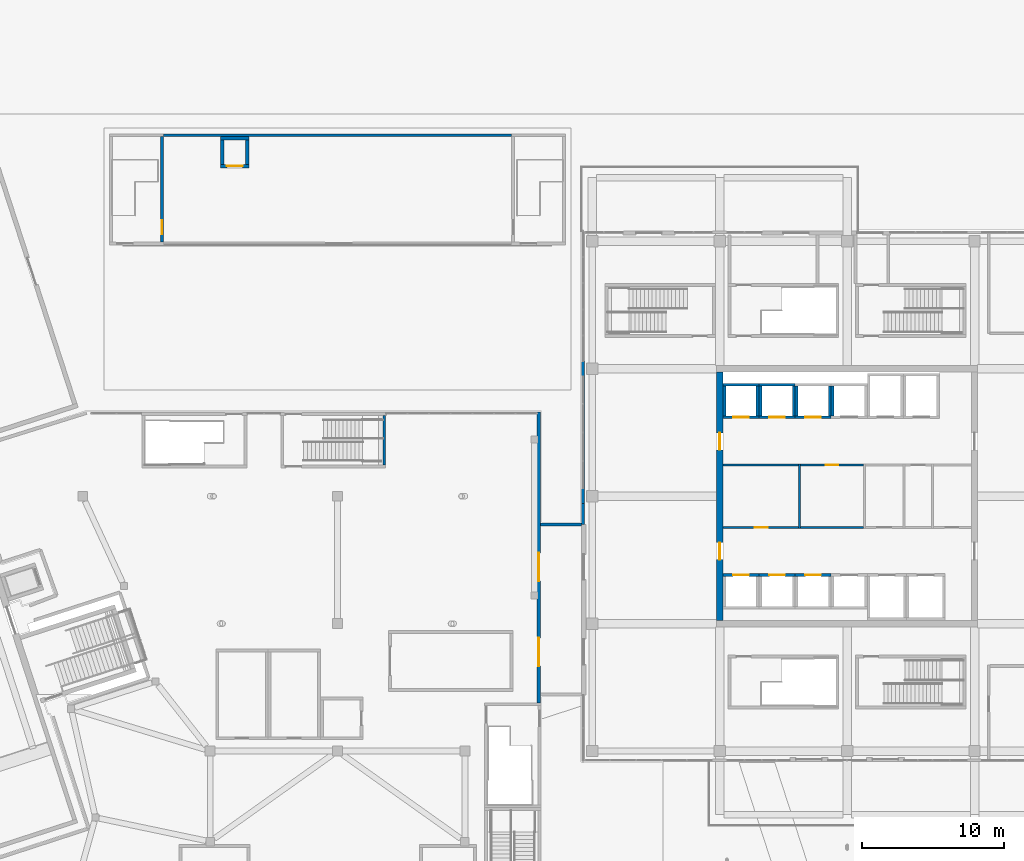
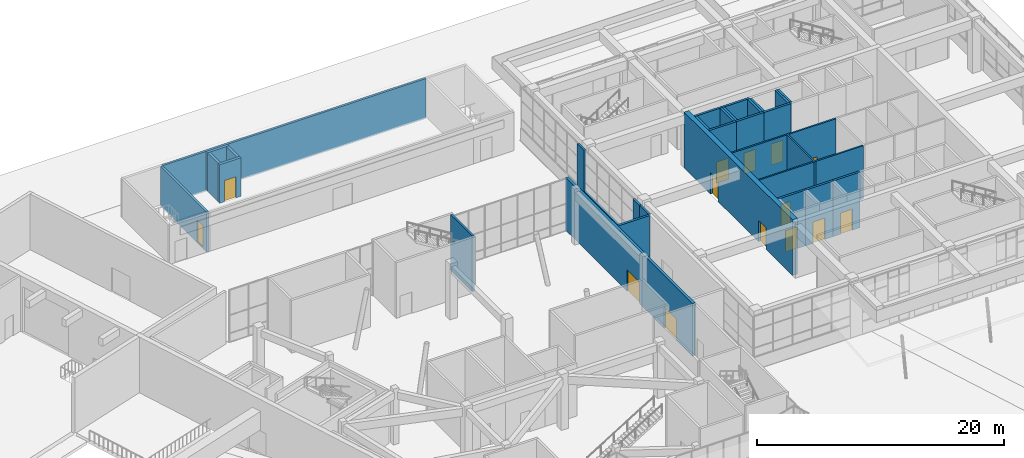
# One storey, part 56 of 72: 34 walls, 14 doors, 14 openings.
"""IFC4 building model written with IfcOpenShell, lengths in metres."""

from ifc_helpers import new_model, si_unit, direction, frame, frame_2d, origin, place, context, subcontext, project, spatial, rectangle, extrude, material, layer, layer_set, type_object, element, fill, save


model = new_model("IFC4")

# Units and contexts
model_context = context("Model", 3, precision=1e-05, world=origin(), true_north=direction((0.0, 1.0)))
body_context = subcontext(model_context, "Body", "Model", "MODEL_VIEW")
ifc_project = project(units=[si_unit("LENGTHUNIT", "METRE"), si_unit("AREAUNIT", "SQUARE_METRE"), si_unit("VOLUMEUNIT", "CUBIC_METRE"), si_unit("PLANEANGLEUNIT", "RADIAN"), si_unit("MASSUNIT", "GRAM", prefix="KILO")], contexts=[model_context])

# Site, building, storey
site_placement = place(None, origin())
site = spatial("IfcSite", under=ifc_project, at=site_placement, CompositionType="ELEMENT")
building_placement = place(site_placement, origin())
building = spatial("IfcBuilding", under=site, at=building_placement, Name="Tuart Plaza Theatre", CompositionType="ELEMENT")
storey_placement = place(building_placement, origin())
storey = spatial("IfcBuildingStorey", under=building, at=storey_placement, Name="L00", CompositionType="ELEMENT", Elevation=0.0)

# Wall
ifc_material_1 = material(Name="Masonry block", Category="masonry")
ifc_layer_1 = layer(ifc_material_1, 0.14990234375)
ifc_layer_set_1 = layer_set([ifc_layer_1], Name="PARTITION BLK150 MASONRYB FRL -/120/120")
wall_type_1 = type_object("IfcWallType", Name="PARTITION BLK150 MASONRYB FRL -/120/120", PredefinedType="PARTITIONING", material=ifc_layer_set_1)
wall_1_placement = place(storey_placement, frame((128.625, 71.72509765625, 0.0), z_axis=(0.0, 0.0, 1.0), x_axis=(0.0, 1.0, 0.0)))
element("IfcWall", 1, at=wall_1_placement, inside=storey, type_object=wall_type_1, Name="P562", PredefinedType="PARTITIONING", context=body_context, shape_type="SweptSolid", body=[
    extrude(rectangle(XDim=4.5498046875, YDim=0.14990234375, at=frame_2d((2.27490234375, 0.0))), origin(), (0.0, 0.0, 1.0), 5.25),
])

# Wall, opening, door
wall_2_placement = place(storey_placement, frame((123.22509765625, 71.800048828125, 0.0), z_axis=(0.0, 0.0, 1.0), x_axis=(1.0, 0.0, 0.0)))
wall_2 = element("IfcWall", 2, at=wall_2_placement, inside=storey, type_object=wall_type_1, Name="P563", PredefinedType="PARTITIONING", context=body_context, shape_type="SweptSolid", body=[
    extrude(rectangle(XDim=5.324951171875, YDim=0.14990234375, at=frame_2d((2.66259765625, 0.0))), origin(), (0.0, 0.0, 1.0), 5.25),
])
opening_1_placement = place(wall_2_placement, frame((2.25, 0.0, 0.0)))
opening_1 = element("IfcOpeningElement", 3, at=opening_1_placement, cuts=wall_2, Name="Opening L00-087", PredefinedType="OPENING", context=body_context, shape_type="SweptSolid", body=[
    extrude(rectangle(XDim=0.89990234375, YDim=2.10009765625, at=frame_2d((0.449951171875, 1.050048828125))), frame((0.0, 0.0849609375, 0.0), z_axis=(0.0, -1.0, 0.0), x_axis=(1.0, 0.0, 0.0)), (0.0, 0.0, 1.0), 0.169921875),
])
ifc_material_2 = material(Name="Steel Grade 300", Category="steel")
door_type_1 = type_object("IfcDoorType", Name="DOOR 900x2100 steel single swing FRL -/120/30", OperationType="SINGLE_SWING_LEFT", PredefinedType="DOOR", material=ifc_material_2)
door_1_placement = place(opening_1_placement, origin())
door_1 = element("IfcDoor", 4, at=door_1_placement, inside=storey, type_object=door_type_1, Name="L00-087", OperationType="SINGLE_SWING_LEFT", OverallHeight=2.10009765625, OverallWidth=0.89990234375, PredefinedType="DOOR", context=body_context, shape_type="SweptSolid", body=[
    extrude(rectangle(XDim=0.89990234375, YDim=2.10009765625, at=frame_2d((0.449951171875, 1.050048828125))), frame((0.0, 0.02490234375, 0.0), z_axis=(0.0, -1.0, 0.0), x_axis=(1.0, 0.0, 0.0)), (0.0, 0.0, 1.0), 0.050048828125),
])
fill(opening_1, door_1)

# Walls
wall_3_placement = place(storey_placement, frame((123.22509765625, 76.199951171875, 0.0), z_axis=(0.0, 0.0, 1.0), x_axis=(1.0, 0.0, 0.0)))
element("IfcWall", 5, at=wall_3_placement, inside=storey, type_object=wall_type_1, Name="P564", PredefinedType="PARTITIONING", context=body_context, shape_type="SweptSolid", body=[
    extrude(rectangle(XDim=5.324951171875, YDim=0.14990234375, at=frame_2d((2.66259765625, 0.0))), origin(), (0.0, 0.0, 1.0), 5.25),
])
wall_4_placement = place(storey_placement, frame((128.699951171875, 71.800048828125, 0.0), z_axis=(0.0, 0.0, 1.0), x_axis=(1.0, 0.0, 0.0)))
element("IfcWall", 6, at=wall_4_placement, inside=storey, type_object=wall_type_1, Name="P566", PredefinedType="PARTITIONING", context=body_context, shape_type="SweptSolid", body=[
    extrude(rectangle(XDim=4.449951171875, YDim=0.14990234375, at=frame_2d((2.22509765625, 0.0))), origin(), (0.0, 0.0, 1.0), 5.25),
])

# Wall, opening, door
wall_5_placement = place(storey_placement, frame((128.699951171875, 76.199951171875, 0.0), z_axis=(0.0, 0.0, 1.0), x_axis=(1.0, 0.0, 0.0)))
wall_5 = element("IfcWall", 7, at=wall_5_placement, inside=storey, type_object=wall_type_1, Name="P567", PredefinedType="PARTITIONING", context=body_context, shape_type="SweptSolid", body=[
    extrude(rectangle(XDim=4.449951171875, YDim=0.14990234375, at=frame_2d((2.22509765625, 0.0))), origin(), (0.0, 0.0, 1.0), 5.25),
])
opening_2_placement = place(wall_5_placement, frame((1.77490234375, 0.0, 0.0)))
opening_2 = element("IfcOpeningElement", 8, at=opening_2_placement, cuts=wall_5, Name="Opening L00-088", PredefinedType="OPENING", context=body_context, shape_type="SweptSolid", body=[
    extrude(rectangle(XDim=0.89990234375, YDim=2.10009765625, at=frame_2d((0.449951171875, 1.050048828125))), frame((0.0, 0.0849609375, 0.0), z_axis=(0.0, -1.0, 0.0), x_axis=(1.0, 0.0, 0.0)), (0.0, 0.0, 1.0), 0.169921875),
])
door_2_placement = place(opening_2_placement, frame((0.89990234375, 0.0, 0.0), z_axis=(0.0, 0.0, 1.0), x_axis=(-1.0, 0.0, 0.0)))
door_2 = element("IfcDoor", 9, at=door_2_placement, inside=storey, type_object=door_type_1, Name="L00-088", OperationType="SINGLE_SWING_LEFT", OverallHeight=2.10009765625, OverallWidth=0.89990234375, PredefinedType="DOOR", context=body_context, shape_type="SweptSolid", body=[
    extrude(rectangle(XDim=0.89990234375, YDim=2.10009765625, at=frame_2d((0.449951171875, 1.050048828125))), frame((0.0, 0.02490234375, 0.0), z_axis=(0.0, -1.0, 0.0), x_axis=(1.0, 0.0, 0.0)), (0.0, 0.0, 1.0), 0.050048828125),
])
fill(opening_2, door_2)

# Wall
ifc_material_3 = material(Name="Concrete N40 (40 MPa)", Category="concrete")
ifc_layer_2 = layer(ifc_material_3, 0.199951171875)
ifc_layer_set_2 = layer_set([ifc_layer_2], Name="SHEAR WALL RC200 FRL 120/120/120")
wall_type_2 = type_object("IfcWallType", Name="SHEAR WALL RC200 FRL 120/120/120", PredefinedType="SHEAR", material=ifc_layer_set_2)
wall_6_placement = place(storey_placement, frame((99.300048828125, 76.199951171875, 0.0), z_axis=(0.0, 0.0, 1.0), x_axis=(0.0, 1.0, 0.0)))
element("IfcWall", 10, at=wall_6_placement, inside=storey, type_object=wall_type_2, Name="W257", PredefinedType="SHEAR", context=body_context, shape_type="SweptSolid", body=[
    extrude(rectangle(XDim=3.5, YDim=0.199951171875, at=frame_2d((1.75, 0.0))), origin(), (0.0, 0.0, 1.0), 5.5),
])

# Wall, opening, door
wall_7_placement = place(storey_placement, frame((125.77490234375, 68.425048828125, 0.0), z_axis=(0.0, 0.0, 1.0), x_axis=(-1.0, 0.0, 0.0)))
wall_7 = element("IfcWall", 11, at=wall_7_placement, inside=storey, type_object=wall_type_2, Name="W552", PredefinedType="SHEAR", context=body_context, shape_type="SweptSolid", body=[
    extrude(rectangle(XDim=2.5498046875, YDim=0.199951171875, at=frame_2d((1.27490234375, 0.0))), origin(), (0.0, 0.0, 1.0), 5.5),
])
opening_3_placement = place(wall_7_placement, frame((0.72509765625, 0.0, 0.0)))
opening_3 = element("IfcOpeningElement", 12, at=opening_3_placement, cuts=wall_7, Name="Opening L00-066", PredefinedType="OPENING", context=body_context, shape_type="SweptSolid", body=[
    extrude(rectangle(XDim=1.10009765625, YDim=2.10009765625, at=frame_2d((0.550048828125, 1.050048828125))), frame((0.0, 0.10986328125, 0.0), z_axis=(0.0, -1.0, 0.0), x_axis=(1.0, 0.0, 0.0)), (0.0, 0.0, 1.0), 0.219970703125),
])
ifc_material_4 = material(Name="Steel Grade 300", Category="steel")
door_type_2 = type_object("IfcDoorType", Name="LANDING DOOR 1100x2100 steel sliding FRL -/120/30", OperationType="SLIDING_TO_LEFT", PredefinedType="DOOR", material=ifc_material_4)
door_3_placement = place(opening_3_placement, origin())
door_3 = element("IfcDoor", 13, at=door_3_placement, inside=storey, type_object=door_type_2, Name="L00-066", OperationType="SLIDING_TO_LEFT", OverallHeight=2.10009765625, OverallWidth=1.10009765625, PredefinedType="DOOR", context=body_context, shape_type="SweptSolid", body=[
    extrude(rectangle(XDim=1.10009765625, YDim=2.10009765625, at=frame_2d((0.550048828125, 1.050048828125))), frame((0.0, 0.02490234375, 0.0), z_axis=(0.0, -1.0, 0.0), x_axis=(1.0, 0.0, 0.0)), (0.0, 0.0, 1.0), 0.050048828125),
])
fill(opening_3, door_3)

wall_8_placement = place(storey_placement, frame((128.324951171875, 68.425048828125, 0.0), z_axis=(0.0, 0.0, 1.0), x_axis=(-1.0, 0.0, 0.0)))
wall_8 = element("IfcWall", 14, at=wall_8_placement, inside=storey, type_object=wall_type_2, Name="W596", PredefinedType="SHEAR", context=body_context, shape_type="SweptSolid", body=[
    extrude(rectangle(XDim=2.550048828125, YDim=0.199951171875, at=frame_2d((1.27490234375, 0.0))), origin(), (0.0, 0.0, 1.0), 5.5),
])
opening_4_placement = place(wall_8_placement, frame((0.72509765625, 0.0, 0.0)))
opening_4 = element("IfcOpeningElement", 15, at=opening_4_placement, cuts=wall_8, Name="Opening L00-067", PredefinedType="OPENING", context=body_context, shape_type="SweptSolid", body=[
    extrude(rectangle(XDim=1.10009765625, YDim=2.10009765625, at=frame_2d((0.550048828125, 1.050048828125))), frame((0.0, 0.10986328125, 0.0), z_axis=(0.0, -1.0, 0.0), x_axis=(1.0, 0.0, 0.0)), (0.0, 0.0, 1.0), 0.219970703125),
])
door_4_placement = place(opening_4_placement, origin())
door_4 = element("IfcDoor", 16, at=door_4_placement, inside=storey, type_object=door_type_2, Name="L00-067", OperationType="SLIDING_TO_LEFT", OverallHeight=2.10009765625, OverallWidth=1.10009765625, PredefinedType="DOOR", context=body_context, shape_type="SweptSolid", body=[
    extrude(rectangle(XDim=1.10009765625, YDim=2.10009765625, at=frame_2d((0.550048828125, 1.050048828125))), frame((0.0, 0.02490234375, 0.0), z_axis=(0.0, -1.0, 0.0), x_axis=(1.0, 0.0, 0.0)), (0.0, 0.0, 1.0), 0.050048828125),
])
fill(opening_4, door_4)

wall_9_placement = place(storey_placement, frame((130.875, 68.425048828125, 0.0), z_axis=(0.0, 0.0, 1.0), x_axis=(-1.0, 0.0, 0.0)))
wall_9 = element("IfcWall", 17, at=wall_9_placement, inside=storey, type_object=wall_type_2, Name="W640", PredefinedType="SHEAR", context=body_context, shape_type="SweptSolid", body=[
    extrude(rectangle(XDim=2.550048828125, YDim=0.199951171875, at=frame_2d((1.27490234375, 0.0))), origin(), (0.0, 0.0, 1.0), 5.5),
])
opening_5_placement = place(wall_9_placement, frame((0.72509765625, 0.0, 0.0)))
opening_5 = element("IfcOpeningElement", 18, at=opening_5_placement, cuts=wall_9, Name="Opening L00-068", PredefinedType="OPENING", context=body_context, shape_type="SweptSolid", body=[
    extrude(rectangle(XDim=1.10009765625, YDim=2.10009765625, at=frame_2d((0.550048828125, 1.050048828125))), frame((0.0, 0.10986328125, 0.0), z_axis=(0.0, -1.0, 0.0), x_axis=(1.0, 0.0, 0.0)), (0.0, 0.0, 1.0), 0.219970703125),
])
door_5_placement = place(opening_5_placement, origin())
door_5 = element("IfcDoor", 19, at=door_5_placement, inside=storey, type_object=door_type_2, Name="L00-068", OperationType="SLIDING_TO_LEFT", OverallHeight=2.10009765625, OverallWidth=1.10009765625, PredefinedType="DOOR", context=body_context, shape_type="SweptSolid", body=[
    extrude(rectangle(XDim=1.10009765625, YDim=2.10009765625, at=frame_2d((0.550048828125, 1.050048828125))), frame((0.0, 0.02490234375, 0.0), z_axis=(0.0, -1.0, 0.0), x_axis=(1.0, 0.0, 0.0)), (0.0, 0.0, 1.0), 0.050048828125),
])
fill(opening_5, door_5)

wall_10_placement = place(storey_placement, frame((123.22509765625, 79.574951171875, 0.0), z_axis=(0.0, 0.0, 1.0), x_axis=(1.0, 0.0, 0.0)))
wall_10 = element("IfcWall", 20, at=wall_10_placement, inside=storey, type_object=wall_type_2, Name="W726", PredefinedType="SHEAR", context=body_context, shape_type="SweptSolid", body=[
    extrude(rectangle(XDim=2.5498046875, YDim=0.199951171875, at=frame_2d((1.27490234375, 0.0))), origin(), (0.0, 0.0, 1.0), 5.5),
])
opening_6_placement = place(wall_10_placement, frame((0.72509765625, 0.0, 0.0)))
opening_6 = element("IfcOpeningElement", 21, at=opening_6_placement, cuts=wall_10, Name="Opening L00-070", PredefinedType="OPENING", context=body_context, shape_type="SweptSolid", body=[
    extrude(rectangle(XDim=1.10009765625, YDim=2.10009765625, at=frame_2d((0.550048828125, 1.050048828125))), frame((0.0, 0.10986328125, 0.0), z_axis=(0.0, -1.0, 0.0), x_axis=(1.0, 0.0, 0.0)), (0.0, 0.0, 1.0), 0.219970703125),
])
door_6_placement = place(opening_6_placement, origin())
door_6 = element("IfcDoor", 22, at=door_6_placement, inside=storey, type_object=door_type_2, Name="L00-070", OperationType="SLIDING_TO_LEFT", OverallHeight=2.10009765625, OverallWidth=1.10009765625, PredefinedType="DOOR", context=body_context, shape_type="SweptSolid", body=[
    extrude(rectangle(XDim=1.10009765625, YDim=2.10009765625, at=frame_2d((0.550048828125, 1.050048828125))), frame((0.0, 0.02490234375, 0.0), z_axis=(0.0, -1.0, 0.0), x_axis=(1.0, 0.0, 0.0)), (0.0, 0.0, 1.0), 0.050048828125),
])
fill(opening_6, door_6)

# Walls
wall_11_placement = place(storey_placement, frame((125.675048828125, 79.675048828125, 0.0), z_axis=(0.0, 0.0, 1.0), x_axis=(0.0, 1.0, 0.0)))
element("IfcWall", 23, at=wall_11_placement, inside=storey, type_object=wall_type_2, Name="W727", PredefinedType="SHEAR", context=body_context, shape_type="SweptSolid", body=[
    extrude(rectangle(XDim=2.099853515625, YDim=0.199951171875, at=frame_2d((1.0498046875, 0.0))), origin(), (0.0, 0.0, 1.0), 5.5),
])
wall_12_placement = place(storey_placement, frame((125.77490234375, 81.875, 0.0), z_axis=(0.0, 0.0, 1.0), x_axis=(-1.0, 0.0, 0.0)))
element("IfcWall", 24, at=wall_12_placement, inside=storey, type_object=wall_type_2, Name="W728", PredefinedType="SHEAR", context=body_context, shape_type="SweptSolid", body=[
    extrude(rectangle(XDim=2.5498046875, YDim=0.199951171875, at=frame_2d((1.27490234375, 0.0))), origin(), (0.0, 0.0, 1.0), 5.5),
])
wall_13_placement = place(storey_placement, frame((123.324951171875, 81.77490234375, 0.0), z_axis=(0.0, 0.0, 1.0), x_axis=(0.0, -1.0, 0.0)))
element("IfcWall", 25, at=wall_13_placement, inside=storey, type_object=wall_type_2, Name="W729", PredefinedType="SHEAR", context=body_context, shape_type="SweptSolid", body=[
    extrude(rectangle(XDim=2.099853515625, YDim=0.199951171875, at=frame_2d((1.0498046875, 0.0))), origin(), (0.0, 0.0, 1.0), 5.5),
])

# Wall, opening, door
wall_14_placement = place(storey_placement, frame((125.77490234375, 79.574951171875, 0.0), z_axis=(0.0, 0.0, 1.0), x_axis=(1.0, 0.0, 0.0)))
wall_14 = element("IfcWall", 26, at=wall_14_placement, inside=storey, type_object=wall_type_2, Name="W798", PredefinedType="SHEAR", context=body_context, shape_type="SweptSolid", body=[
    extrude(rectangle(XDim=2.550048828125, YDim=0.199951171875, at=frame_2d((1.27490234375, 0.0))), origin(), (0.0, 0.0, 1.0), 5.5),
])
opening_7_placement = place(wall_14_placement, frame((0.72509765625, 0.0, 0.0)))
opening_7 = element("IfcOpeningElement", 27, at=opening_7_placement, cuts=wall_14, Name="Opening L00-071", PredefinedType="OPENING", context=body_context, shape_type="SweptSolid", body=[
    extrude(rectangle(XDim=1.10009765625, YDim=2.10009765625, at=frame_2d((0.550048828125, 1.050048828125))), frame((0.0, 0.10986328125, 0.0), z_axis=(0.0, -1.0, 0.0), x_axis=(1.0, 0.0, 0.0)), (0.0, 0.0, 1.0), 0.219970703125),
])
door_7_placement = place(opening_7_placement, origin())
door_7 = element("IfcDoor", 28, at=door_7_placement, inside=storey, type_object=door_type_2, Name="L00-071", OperationType="SLIDING_TO_LEFT", OverallHeight=2.10009765625, OverallWidth=1.10009765625, PredefinedType="DOOR", context=body_context, shape_type="SweptSolid", body=[
    extrude(rectangle(XDim=1.10009765625, YDim=2.10009765625, at=frame_2d((0.550048828125, 1.050048828125))), frame((0.0, 0.02490234375, 0.0), z_axis=(0.0, -1.0, 0.0), x_axis=(1.0, 0.0, 0.0)), (0.0, 0.0, 1.0), 0.050048828125),
])
fill(opening_7, door_7)

# Walls
wall_15_placement = place(storey_placement, frame((128.22509765625, 79.675048828125, 0.0), z_axis=(0.0, 0.0, 1.0), x_axis=(0.0, 1.0, 0.0)))
element("IfcWall", 29, at=wall_15_placement, inside=storey, type_object=wall_type_2, Name="W799", PredefinedType="SHEAR", context=body_context, shape_type="SweptSolid", body=[
    extrude(rectangle(XDim=2.099853515625, YDim=0.199951171875, at=frame_2d((1.0498046875, 0.0))), origin(), (0.0, 0.0, 1.0), 5.5),
])
wall_16_placement = place(storey_placement, frame((128.324951171875, 81.875, 0.0), z_axis=(0.0, 0.0, 1.0), x_axis=(-1.0, 0.0, 0.0)))
element("IfcWall", 30, at=wall_16_placement, inside=storey, type_object=wall_type_2, Name="W800", PredefinedType="SHEAR", context=body_context, shape_type="SweptSolid", body=[
    extrude(rectangle(XDim=2.550048828125, YDim=0.199951171875, at=frame_2d((1.27490234375, 0.0))), origin(), (0.0, 0.0, 1.0), 5.5),
])
wall_17_placement = place(storey_placement, frame((125.875, 81.77490234375, 0.0), z_axis=(0.0, 0.0, 1.0), x_axis=(0.0, -1.0, 0.0)))
element("IfcWall", 31, at=wall_17_placement, inside=storey, type_object=wall_type_2, Name="W801", PredefinedType="SHEAR", context=body_context, shape_type="SweptSolid", body=[
    extrude(rectangle(XDim=2.099853515625, YDim=0.199951171875, at=frame_2d((1.0498046875, 0.0))), origin(), (0.0, 0.0, 1.0), 5.5),
])

# Wall, opening, door
wall_18_placement = place(storey_placement, frame((128.324951171875, 79.574951171875, 0.0), z_axis=(0.0, 0.0, 1.0), x_axis=(1.0, 0.0, 0.0)))
wall_18 = element("IfcWall", 32, at=wall_18_placement, inside=storey, type_object=wall_type_2, Name="W870", PredefinedType="SHEAR", context=body_context, shape_type="SweptSolid", body=[
    extrude(rectangle(XDim=2.550048828125, YDim=0.199951171875, at=frame_2d((1.27490234375, 0.0))), origin(), (0.0, 0.0, 1.0), 5.5),
])
opening_8_placement = place(wall_18_placement, frame((0.72509765625, 0.0, 0.0)))
opening_8 = element("IfcOpeningElement", 33, at=opening_8_placement, cuts=wall_18, Name="Opening L00-072", PredefinedType="OPENING", context=body_context, shape_type="SweptSolid", body=[
    extrude(rectangle(XDim=1.10009765625, YDim=2.10009765625, at=frame_2d((0.550048828125, 1.050048828125))), frame((0.0, 0.10986328125, 0.0), z_axis=(0.0, -1.0, 0.0), x_axis=(1.0, 0.0, 0.0)), (0.0, 0.0, 1.0), 0.219970703125),
])
door_8_placement = place(opening_8_placement, origin())
door_8 = element("IfcDoor", 34, at=door_8_placement, inside=storey, type_object=door_type_2, Name="L00-072", OperationType="SLIDING_TO_LEFT", OverallHeight=2.10009765625, OverallWidth=1.10009765625, PredefinedType="DOOR", context=body_context, shape_type="SweptSolid", body=[
    extrude(rectangle(XDim=1.10009765625, YDim=2.10009765625, at=frame_2d((0.550048828125, 1.050048828125))), frame((0.0, 0.02490234375, 0.0), z_axis=(0.0, -1.0, 0.0), x_axis=(1.0, 0.0, 0.0)), (0.0, 0.0, 1.0), 0.050048828125),
])
fill(opening_8, door_8)

# Walls
for number, where, z_axis, x_axis, name in (
    (35, (130.77490234375, 79.675048828125, 0.0), (0.0, 0.0, 1.0), (0.0, 1.0, 0.0), "W871"),
    (36, (128.425048828125, 81.77490234375, 0.0), (0.0, 0.0, 1.0), (0.0, -1.0, 0.0), "W873"),
    (37, (130.97509765625, 81.77490234375, 0.0), (0.0, 0.0, 1.0), (0.0, -1.0, 0.0), "W945"),
):
    element("IfcWall", number, at=place(storey_placement, frame(where, z_axis=z_axis, x_axis=x_axis)), inside=storey, type_object=wall_type_2, Name=name, PredefinedType="SHEAR", context=body_context, shape_type="SweptSolid", body=[
        extrude(rectangle(XDim=2.099853515625, YDim=0.199951171875, at=frame_2d((1.0498046875, 0.0))), origin(), (0.0, 0.0, 1.0), 5.5),
    ])

# Wall, opening, door
ifc_material_5 = material(Name="Concrete N40 (40 MPa)", Category="concrete")
ifc_layer_3 = layer(ifc_material_5, 0.25)
ifc_layer_set_3 = layer_set([ifc_layer_3], Name="SHEAR WALL RC250 FRL 120/120/120")
wall_type_3 = type_object("IfcWallType", Name="SHEAR WALL RC250 FRL 120/120/120", PredefinedType="SHEAR", material=ifc_layer_set_3)
wall_19_placement = place(storey_placement, frame((87.739990234375, 97.324951171875, 0.0), z_axis=(0.0, 0.0, 1.0), x_axis=(1.0, 0.0, 0.0)))
wall_19 = element("IfcWall", 38, at=wall_19_placement, inside=storey, type_object=wall_type_3, Name="W483", PredefinedType="SHEAR", context=body_context, shape_type="SweptSolid", body=[
    extrude(rectangle(XDim=2.0, YDim=0.25, at=frame_2d((1.0, 0.0))), origin(), (0.0, 0.0, 1.0), 3.800048828125),
])
opening_9_placement = place(wall_19_placement, frame((0.449951171875, 0.0, 0.0)))
opening_9 = element("IfcOpeningElement", 39, at=opening_9_placement, cuts=wall_19, Name="Opening L00-005", PredefinedType="OPENING", context=body_context, shape_type="SweptSolid", body=[
    extrude(rectangle(XDim=1.10009765625, YDim=2.10009765625, at=frame_2d((0.550048828125, 1.050048828125))), frame((0.0, 0.135009765625, 0.0), z_axis=(0.0, -1.0, 0.0), x_axis=(1.0, 0.0, 0.0)), (0.0, 0.0, 1.0), 0.27001953125),
])
door_9_placement = place(opening_9_placement, origin())
door_9 = element("IfcDoor", 40, at=door_9_placement, inside=storey, type_object=door_type_2, Name="L00-005", OperationType="SLIDING_TO_LEFT", OverallHeight=2.10009765625, OverallWidth=1.10009765625, PredefinedType="DOOR", context=body_context, shape_type="SweptSolid", body=[
    extrude(rectangle(XDim=1.10009765625, YDim=2.10009765625, at=frame_2d((0.550048828125, 1.050048828125))), frame((0.0, 0.02490234375, 0.0), z_axis=(0.0, -1.0, 0.0), x_axis=(1.0, 0.0, 0.0)), (0.0, 0.0, 1.0), 0.050048828125),
])
fill(opening_9, door_9)

# Walls
wall_20_placement = place(storey_placement, frame((89.614990234375, 97.449951171875, 0.0), z_axis=(0.0, 0.0, 1.0), x_axis=(0.0, 1.0, 0.0)))
element("IfcWall", 41, at=wall_20_placement, inside=storey, type_object=wall_type_3, Name="W484", PredefinedType="SHEAR", context=body_context, shape_type="SweptSolid", body=[
    extrude(rectangle(XDim=1.699951171875, YDim=0.25, at=frame_2d((0.85009765625, 0.0))), origin(), (0.0, 0.0, 1.0), 3.800048828125),
])
wall_21_placement = place(storey_placement, frame((89.739990234375, 99.27490234375, 0.0), z_axis=(0.0, 0.0, 1.0), x_axis=(-1.0, 0.0, 0.0)))
element("IfcWall", 42, at=wall_21_placement, inside=storey, type_object=wall_type_3, Name="W485", PredefinedType="SHEAR", context=body_context, shape_type="SweptSolid", body=[
    extrude(rectangle(XDim=2.0, YDim=0.25, at=frame_2d((1.0, 0.0))), origin(), (0.0, 0.0, 1.0), 3.800048828125),
])
wall_22_placement = place(storey_placement, frame((87.864990234375, 99.14990234375, 0.0), z_axis=(0.0, 0.0, 1.0), x_axis=(0.0, -1.0, 0.0)))
element("IfcWall", 43, at=wall_22_placement, inside=storey, type_object=wall_type_3, Name="W486", PredefinedType="SHEAR", context=body_context, shape_type="SweptSolid", body=[
    extrude(rectangle(XDim=1.699951171875, YDim=0.25, at=frame_2d((0.85009765625, 0.0))), origin(), (0.0, 0.0, 1.0), 3.800048828125),
])

# Wall, openings, doors
ifc_material_6 = material(Name="Concrete N50 (50 MPa)", Category="concrete")
ifc_layer_4 = layer(ifc_material_6, 0.449951171875)
ifc_layer_set_4 = layer_set([ifc_layer_4], Name="SHEAR WALL RC450 N50 FRL 120/120/120")
wall_type_4 = type_object("IfcWallType", Name="SHEAR WALL RC450 N50 FRL 120/120/120", PredefinedType="SHEAR", material=ifc_layer_set_4)
wall_23_placement = place(storey_placement, frame((123.0, 82.77490234375, 0.0), z_axis=(0.0, 0.0, 1.0), x_axis=(0.0, -1.0, 0.0)))
wall_23 = element("IfcWall", 44, at=wall_23_placement, inside=storey, type_object=wall_type_4, Name="W358", PredefinedType="SHEAR", context=body_context, shape_type="SweptSolid", body=[
    extrude(rectangle(XDim=17.5498046875, YDim=0.449951171875, at=frame_2d((8.77490234375, 0.0))), origin(), (0.0, 0.0, 1.0), 5.5),
])
opening_10_placement = place(wall_23_placement, frame((12.050048828125, 0.0, 0.0)))
opening_10 = element("IfcOpeningElement", 45, at=opening_10_placement, cuts=wall_23, Name="Opening L00-083", PredefinedType="OPENING", context=body_context, shape_type="SweptSolid", body=[
    extrude(rectangle(XDim=1.199951171875, YDim=2.10009765625, at=frame_2d((0.60009765625, 1.050048828125))), frame((0.0, 0.23486328125, 0.0), z_axis=(0.0, -1.0, 0.0), x_axis=(1.0, 0.0, 0.0)), (0.0, 0.0, 1.0), 0.469970703125),
])
opening_11_placement = place(wall_23_placement, frame((4.300048828125, 0.0, 0.0)))
opening_11 = element("IfcOpeningElement", 46, at=opening_11_placement, cuts=wall_23, Name="Opening L00-085", PredefinedType="OPENING", context=body_context, shape_type="SweptSolid", body=[
    extrude(rectangle(XDim=1.199951171875, YDim=2.10009765625, at=frame_2d((0.60009765625, 1.050048828125))), frame((0.0, 0.23486328125, 0.0), z_axis=(0.0, -1.0, 0.0), x_axis=(1.0, 0.0, 0.0)), (0.0, 0.0, 1.0), 0.469970703125),
])
ifc_material_7 = material(Name="Steel Grade 300", Category="steel")
door_type_3 = type_object("IfcDoorType", Name="DOOR 1200x2100 steel single swing FRL -/120/30", OperationType="SINGLE_SWING_LEFT", PredefinedType="DOOR", material=ifc_material_7)
door_10_placement = place(opening_10_placement, frame((1.199951171875, 0.0, 0.0), z_axis=(0.0, 0.0, 1.0), x_axis=(-1.0, 0.0, 0.0)))
door_10 = element("IfcDoor", 47, at=door_10_placement, inside=storey, type_object=door_type_3, Name="L00-083", OperationType="SINGLE_SWING_RIGHT", OverallHeight=2.10009765625, OverallWidth=1.199951171875, PredefinedType="DOOR", context=body_context, shape_type="SweptSolid", body=[
    extrude(rectangle(XDim=1.199951171875, YDim=2.10009765625, at=frame_2d((0.60009765625, 1.050048828125))), frame((0.0, 0.02490234375, 0.0), z_axis=(0.0, -1.0, 0.0), x_axis=(1.0, 0.0, 0.0)), (0.0, 0.0, 1.0), 0.050048828125),
])
fill(opening_10, door_10)
door_11_placement = place(opening_11_placement, frame((1.199951171875, 0.0, 0.0), z_axis=(0.0, 0.0, 1.0), x_axis=(-1.0, 0.0, 0.0)))
door_11 = element("IfcDoor", 48, at=door_11_placement, inside=storey, type_object=door_type_3, Name="L00-085", OperationType="SINGLE_SWING_LEFT", OverallHeight=2.10009765625, OverallWidth=1.199951171875, PredefinedType="DOOR", context=body_context, shape_type="SweptSolid", body=[
    extrude(rectangle(XDim=1.199951171875, YDim=2.10009765625, at=frame_2d((0.60009765625, 1.050048828125))), frame((0.0, 0.02490234375, 0.0), z_axis=(0.0, -1.0, 0.0), x_axis=(1.0, 0.0, 0.0)), (0.0, 0.0, 1.0), 0.050048828125),
])
fill(opening_11, door_11)

# Walls
ifc_material_8 = material(Name="Steel panel", Category="steel")
ifc_layer_5 = layer(ifc_material_8, 0.199951171875)
ifc_layer_set_5 = layer_set([ifc_layer_5], Name="WALL CLD200 STEELPAN EXT base panel")
wall_type_5 = type_object("IfcWallType", Name="WALL CLD200 STEELPAN EXT base panel", PredefinedType="SOLIDWALL", material=ifc_layer_set_5)
wall_24_placement = place(storey_placement, frame((113.35009765625, 83.550048828125, 0.0), z_axis=(0.0, 0.0, 1.0), x_axis=(0.0, -1.0, 0.0)))
element("IfcWall", 49, at=wall_24_placement, inside=storey, type_object=wall_type_5, Name="P110", PredefinedType="SOLIDWALL", context=body_context, shape_type="SweptSolid", body=[
    extrude(rectangle(XDim=1.10009765625, YDim=0.199951171875, at=frame_2d((0.550048828125, 0.0))), origin(), (0.0, 0.0, 1.0), 5.25),
])
wall_25_placement = place(storey_placement, frame((113.35009765625, 82.5, 0.0), z_axis=(0.0, 0.0, 1.0), x_axis=(0.0, -1.0, 0.0)))
element("IfcWall", 50, at=wall_25_placement, inside=storey, type_object=wall_type_5, Name="P111", PredefinedType="SOLIDWALL", context=body_context, shape_type="SweptSolid", body=[
    extrude(rectangle(XDim=8.0, YDim=0.199951171875, at=frame_2d((4.0, 0.0))), origin(), (0.0, 0.0, 1.0), 1.199951171875),
])
wall_26_placement = place(storey_placement, frame((113.35009765625, 74.550048828125, 0.0), z_axis=(0.0, 0.0, 1.0), x_axis=(0.0, -1.0, 0.0)))
element("IfcWall", 51, at=wall_26_placement, inside=storey, type_object=wall_type_5, Name="P112", PredefinedType="SOLIDWALL", context=body_context, shape_type="SweptSolid", body=[
    extrude(rectangle(XDim=1.050048828125, YDim=0.199951171875, at=frame_2d((0.52490234375, 0.0))), origin(), (0.0, 0.0, 1.0), 5.25),
])
wall_27_placement = place(storey_placement, frame((113.35009765625, 73.5, 0.0), z_axis=(0.0, 0.0, 1.0), x_axis=(0.0, -1.0, 0.0)))
element("IfcWall", 52, at=wall_27_placement, inside=storey, type_object=wall_type_5, Name="P113", PredefinedType="SOLIDWALL", context=body_context, shape_type="SweptSolid", body=[
    extrude(rectangle(XDim=1.5, YDim=0.199951171875, at=frame_2d((0.75, 0.0))), origin(), (0.0, 0.0, 1.0), 5.25),
])
ifc_material_9 = material(Name="Concrete N40 (40 MPa)", Category="concrete")
ifc_layer_6 = layer(ifc_material_9, 0.199951171875)
ifc_layer_set_6 = layer_set([ifc_layer_6], Name="WALL RC200 FRL -/120/120 EXT")
wall_type_6 = type_object("IfcWallType", Name="WALL RC200 FRL -/120/120 EXT", PredefinedType="SOLIDWALL", material=ifc_layer_set_6)
wall_28_placement = place(storey_placement, frame((83.699951171875, 99.5, -0.14990234375), z_axis=(0.0, 0.0, 1.0), x_axis=(1.0, 0.0, 0.0)))
element("IfcWall", 53, at=wall_28_placement, inside=storey, type_object=wall_type_6, Name="P761", PredefinedType="SOLIDWALL", context=body_context, shape_type="SweptSolid", body=[
    extrude(rectangle(XDim=24.60009765625, YDim=0.199951171875, at=frame_2d((12.300048828125, 0.0))), origin(), (0.0, 0.0, 1.0), 3.949951171875),
])

# Wall, opening, door
ifc_material_10 = material(Name="Concrete N40 (40 MPa)", Category="concrete")
ifc_layer_7 = layer(ifc_material_10, 0.199951171875)
ifc_layer_set_7 = layer_set([ifc_layer_7], Name="WALL RC200 FRL 120/120/120")
wall_type_7 = type_object("IfcWallType", Name="WALL RC200 FRL 120/120/120", PredefinedType="SOLIDWALL", material=ifc_layer_set_7)
wall_29_placement = place(storey_placement, frame((83.60009765625, 91.949951171875, -0.14990234375), z_axis=(0.0, 0.0, 1.0), x_axis=(0.0, 1.0, 0.0)))
wall_29 = element("IfcWall", 54, at=wall_29_placement, inside=storey, type_object=wall_type_7, Name="P765", PredefinedType="SOLIDWALL", context=body_context, shape_type="SweptSolid", body=[
    extrude(rectangle(XDim=7.449951171875, YDim=0.199951171875, at=frame_2d((3.72509765625, 0.0))), origin(), (0.0, 0.0, 1.0), 3.949951171875),
])
opening_12_placement = place(wall_29_placement, frame((0.550048828125, 0.0, 0.14990234375)))
opening_12 = element("IfcOpeningElement", 55, at=opening_12_placement, cuts=wall_29, Name="Opening L00-097", PredefinedType="OPENING", context=body_context, shape_type="SweptSolid", body=[
    extrude(rectangle(XDim=1.0, YDim=2.10009765625, at=frame_2d((0.5, 1.050048828125))), frame((0.0, 0.10986328125, 0.0), z_axis=(0.0, -1.0, 0.0), x_axis=(1.0, 0.0, 0.0)), (0.0, 0.0, 1.0), 0.219970703125),
])
ifc_material_11 = material(Name="Timber", Category="wood")
door_type_4 = type_object("IfcDoorType", Name="DOOR 1000x2100 timber single swing FRL -/120/30", OperationType="SINGLE_SWING_LEFT", PredefinedType="DOOR", material=ifc_material_11)
door_12_placement = place(opening_12_placement, origin())
door_12 = element("IfcDoor", 56, at=door_12_placement, inside=storey, type_object=door_type_4, Name="L00-097", OperationType="SINGLE_SWING_RIGHT", OverallHeight=2.10009765625, OverallWidth=1.0, PredefinedType="DOOR", context=body_context, shape_type="SweptSolid", body=[
    extrude(rectangle(XDim=1.0, YDim=2.10009765625, at=frame_2d((0.5, 1.050048828125))), frame((0.0, 0.02490234375, 0.0), z_axis=(0.0, -1.0, 0.0), x_axis=(1.0, 0.0, 0.0)), (0.0, 0.0, 1.0), 0.050048828125),
])
fill(opening_12, door_12)

# Wall
ifc_material_12 = material(Name="Concrete N40 (40 MPa)", Category="concrete")
ifc_layer_8 = layer(ifc_material_12, 0.219970703125)
ifc_layer_set_8 = layer_set([ifc_layer_8], Name="WALL RC220 FRL 120/120/120")
wall_type_8 = type_object("IfcWallType", Name="WALL RC220 FRL 120/120/120", PredefinedType="SOLIDWALL", material=ifc_layer_set_8)
wall_30_placement = place(storey_placement, frame((110.337890625, 72.0, 0.0), z_axis=(0.0, 0.0, 1.0), x_axis=(1.0, 0.0, 0.0)))
element("IfcWall", 57, at=wall_30_placement, inside=storey, type_object=wall_type_8, Name="P51", PredefinedType="SOLIDWALL", context=body_context, shape_type="SweptSolid", body=[
    extrude(rectangle(XDim=2.912109375, YDim=0.219970703125, at=frame_2d((1.4560546875, 0.0))), origin(), (0.0, 0.0, 1.0), 5.199951171875),
])

# Wall, openings, doors
ifc_material_13 = material(Name="Concrete N40 (40 MPa)", Category="concrete")
ifc_layer_9 = layer(ifc_material_13, 0.25)
ifc_layer_set_9 = layer_set([ifc_layer_9], Name="WALL RC250 FRL 120/120/120 EXT")
wall_type_9 = type_object("IfcWallType", Name="WALL RC250 FRL 120/120/120 EXT", PredefinedType="SOLIDWALL", material=ifc_layer_set_9)
wall_31_placement = place(storey_placement, frame((110.212890625, 59.39990234375, 0.0), z_axis=(0.0, 0.0, 1.0), x_axis=(0.0, 1.0, 0.0)))
wall_31 = element("IfcWall", 58, at=wall_31_placement, inside=storey, type_object=wall_type_9, Name="P38", PredefinedType="SOLIDWALL", context=body_context, shape_type="SweptSolid", body=[
    extrude(rectangle(XDim=20.537109375, YDim=0.25, at=frame_2d((10.2685546875, 0.0))), origin(), (0.0, 0.0, 1.0), 5.199951171875),
])
opening_13_placement = place(wall_31_placement, frame((2.60009765625, 0.0, 0.0)))
opening_13 = element("IfcOpeningElement", 59, at=opening_13_placement, cuts=wall_31, Name="Opening L00-008", PredefinedType="OPENING", context=body_context, shape_type="SweptSolid", body=[
    extrude(rectangle(XDim=2.0, YDim=2.10009765625, at=frame_2d((1.0, 1.050048828125))), frame((0.0, 0.135009765625, 0.0), z_axis=(0.0, -1.0, 0.0), x_axis=(1.0, 0.0, 0.0)), (0.0, 0.0, 1.0), 0.27001953125),
])
opening_14_placement = place(wall_31_placement, frame((8.60009765625, 0.0, 0.0)))
opening_14 = element("IfcOpeningElement", 60, at=opening_14_placement, cuts=wall_31, Name="Opening L00-009", PredefinedType="OPENING", context=body_context, shape_type="SweptSolid", body=[
    extrude(rectangle(XDim=2.0, YDim=2.10009765625, at=frame_2d((1.0, 1.050048828125))), frame((0.0, 0.135009765625, 0.0), z_axis=(0.0, -1.0, 0.0), x_axis=(1.0, 0.0, 0.0)), (0.0, 0.0, 1.0), 0.27001953125),
])
ifc_material_14 = material(Name="Steel Grade 300", Category="steel")
door_type_5 = type_object("IfcDoorType", Name="DOOR 2000x2100 steel double swing FRL -/120/30", OperationType="DOUBLE_DOOR_SINGLE_SWING", PredefinedType="DOOR", material=ifc_material_14)
door_13_placement = place(opening_13_placement, frame((2.0, 0.0, 0.0), z_axis=(0.0, 0.0, 1.0), x_axis=(-1.0, 0.0, 0.0)))
door_13 = element("IfcDoor", 61, at=door_13_placement, inside=storey, type_object=door_type_5, Name="L00-008", OperationType="DOUBLE_DOOR_SINGLE_SWING", OverallHeight=2.10009765625, OverallWidth=2.0, PredefinedType="DOOR", context=body_context, shape_type="SweptSolid", body=[
    extrude(rectangle(XDim=2.0, YDim=2.10009765625, at=frame_2d((1.0, 1.050048828125))), frame((0.0, 0.02490234375, 0.0), z_axis=(0.0, -1.0, 0.0), x_axis=(1.0, 0.0, 0.0)), (0.0, 0.0, 1.0), 0.050048828125),
])
fill(opening_13, door_13)
door_14_placement = place(opening_14_placement, frame((2.0, 0.0, 0.0), z_axis=(0.0, 0.0, 1.0), x_axis=(-1.0, 0.0, 0.0)))
door_14 = element("IfcDoor", 62, at=door_14_placement, inside=storey, type_object=door_type_5, Name="L00-009", OperationType="DOUBLE_DOOR_SINGLE_SWING", OverallHeight=2.10009765625, OverallWidth=2.0, PredefinedType="DOOR", context=body_context, shape_type="SweptSolid", body=[
    extrude(rectangle(XDim=2.0, YDim=2.10009765625, at=frame_2d((1.0, 1.050048828125))), frame((0.0, 0.02490234375, 0.0), z_axis=(0.0, -1.0, 0.0), x_axis=(1.0, 0.0, 0.0)), (0.0, 0.0, 1.0), 0.050048828125),
])
fill(opening_14, door_14)

save(model, "model.ifc")
